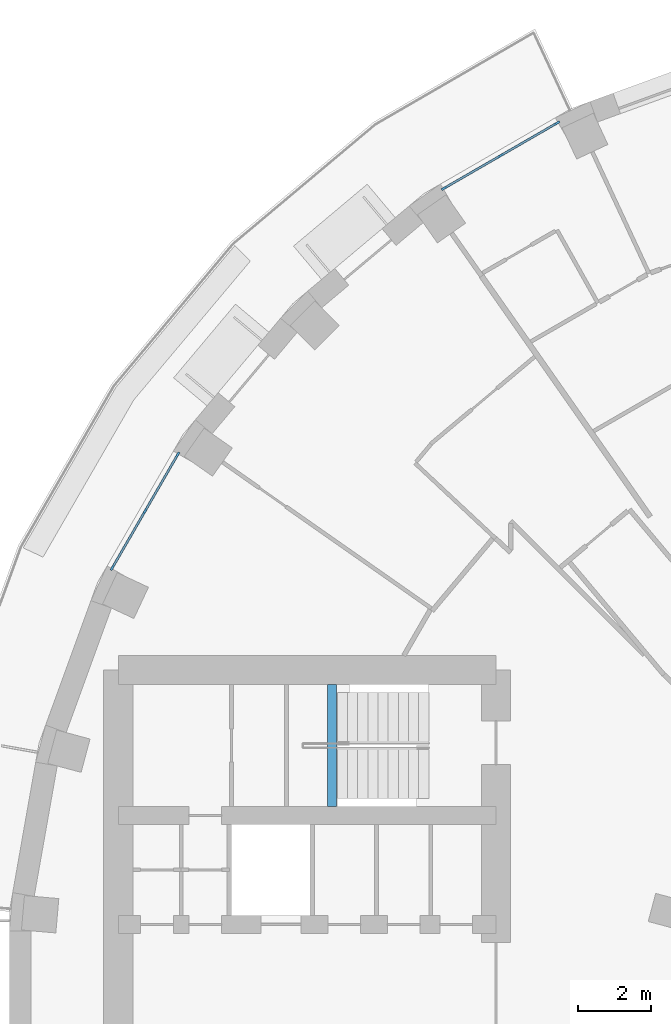
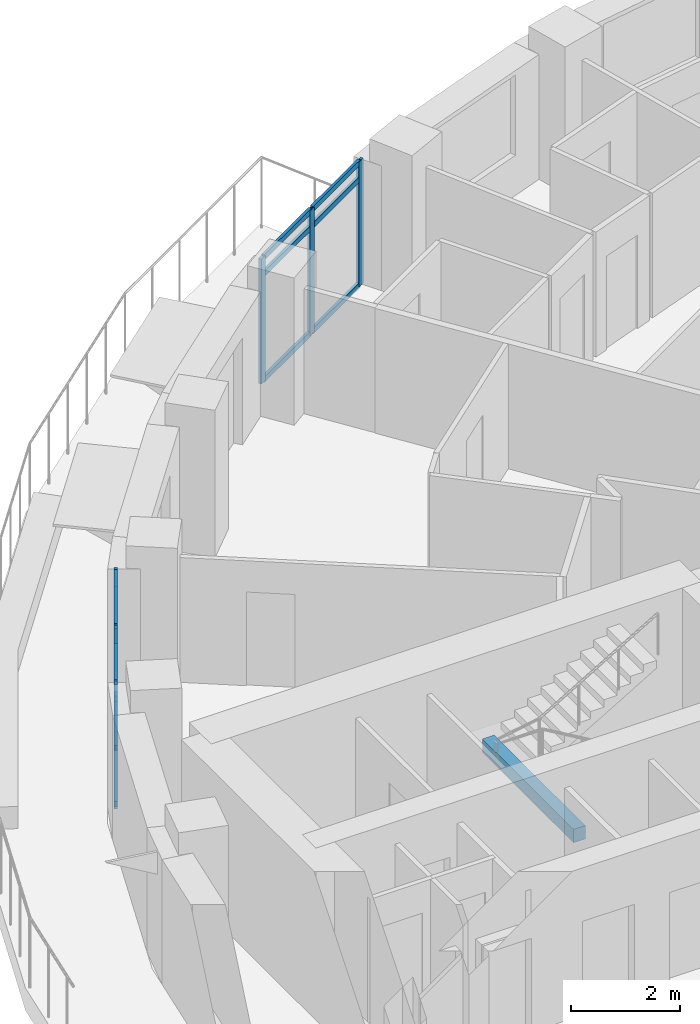
# One storey, part 2 of 15: 18 members, 1 beam, 2 elements without a shape of their own.
"""IFC4 building model written with IfcOpenShell, lengths in metres."""

from ifc_helpers import new_model, si_unit, direction, frame, origin, origin_2d, place, context, subcontext, project, spatial, rectangle, extrude, material, layer, layer_set, material_profile, profile_set, type_object, element, aggregate, save


model = new_model("IFC4")

# Units and contexts
model_context = context("Model", 3, precision=1e-05, world=origin(), true_north=direction((0.0, 1.0)))
body_context = subcontext(model_context, "Body", "Model", "MODEL_VIEW")
ifc_project = project(units=[si_unit("LENGTHUNIT", "METRE"), si_unit("AREAUNIT", "SQUARE_METRE"), si_unit("VOLUMEUNIT", "CUBIC_METRE"), si_unit("PLANEANGLEUNIT", "RADIAN"), si_unit("MASSUNIT", "GRAM", prefix="KILO")], contexts=[model_context])

# Site, building, storey
site_placement = place(None, origin())
site = spatial("IfcSite", under=ifc_project, at=site_placement, CompositionType="ELEMENT")
building_placement = place(site_placement, origin())
building = spatial("IfcBuilding", under=site, at=building_placement, Name="Saqina Gate Tower", CompositionType="ELEMENT")
storey_placement = place(building_placement, frame((0.0, 0.0, 108.39990234375)))
storey = spatial("IfcBuildingStorey", under=building, at=storey_placement, Name="L30", CompositionType="ELEMENT", Elevation=108.39990234375)

# Curtain wall, members
ifc_material_1 = material(Name="Aluminium glazing", Category="aluminium")
ifc_layer = layer(ifc_material_1, 0.159912109375)
ifc_layer_set = layer_set([ifc_layer], Name="CWT-4")
curtain_wall_type = type_object("IfcCurtainWallType", Name="CWT-4", PredefinedType="NOTDEFINED", material=ifc_layer_set)
curtain_wall_1_placement = place(storey_placement, origin())
curtain_wall_1 = element("IfcCurtainWall", 1, at=curtain_wall_1_placement, inside=storey, type_object=curtain_wall_type, Name="Terrace lounge glazing facet 12", PredefinedType="NOTDEFINED")
ifc_material_2 = material(Name="Aluminium", Category="aluminium")
ifc_material_profile_1 = material_profile(ifc_material_2, rectangle(XDim=0.06005859375, YDim=0.159912109375, at=origin_2d()), Name="Aluminium 60x160")
ifc_profile_set_1 = profile_set([ifc_material_profile_1], Name="Aluminium")
member_type_1 = type_object("IfcMemberType", Name="CWT-4M", PredefinedType="MULLION", material=ifc_profile_set_1)
member_1_placement = place(storey_placement, frame((-11.820068359375, 24.060791015625, 0.0), z_axis=(0.0, 0.0, 1.0), x_axis=(0.499998512381, -0.86602626266, 0.0)))
member_1 = element("IfcMember", 2, at=member_1_placement, type_object=member_type_1, Name="CW4-12 mullion 1", PredefinedType="MULLION", context=body_context, shape_type="SweptSolid", body=[
    extrude(rectangle(XDim=0.06005859375, YDim=0.159912109375, at=origin_2d()), origin(), (0.0, 0.0, 1.0), 2.800048828125),
])
member_2_placement = place(storey_placement, frame((-13.37353515625, 23.163818359375, 0.0), z_axis=(0.0, 0.0, 1.0), x_axis=(0.499998512381, -0.86602626266, 0.0)))
member_2 = element("IfcMember", 3, at=member_2_placement, type_object=member_type_1, Name="CW4-12 mullion 2", PredefinedType="MULLION", context=body_context, shape_type="SweptSolid", body=[
    extrude(rectangle(XDim=0.06005859375, YDim=0.159912109375, at=origin_2d()), origin(), (0.0, 0.0, 1.0), 2.800048828125),
])
member_3_placement = place(storey_placement, frame((-14.92724609375, 22.266845703125, 0.0), z_axis=(0.0, 0.0, 1.0), x_axis=(0.499998512381, -0.86602626266, 0.0)))
member_3 = element("IfcMember", 4, at=member_3_placement, type_object=member_type_1, Name="CW4-12 mullion 3", PredefinedType="MULLION", context=body_context, shape_type="SweptSolid", body=[
    extrude(rectangle(XDim=0.06005859375, YDim=0.159912109375, at=origin_2d()), origin(), (0.0, 0.0, 1.0), 2.800048828125),
])

curtain_wall_2_placement = place(storey_placement, origin())
curtain_wall_2 = element("IfcCurtainWall", 5, at=curtain_wall_2_placement, inside=storey, type_object=curtain_wall_type, Name="Terrace lounge glazing facet 15", PredefinedType="NOTDEFINED")
member_4_placement = place(storey_placement, frame((-22.266845703125, 14.92724609375, 0.0), z_axis=(0.0, 0.0, 1.0), x_axis=(0.86602626266, -0.499998512381, 0.0)))
member_4 = element("IfcMember", 6, at=member_4_placement, type_object=member_type_1, Name="CW4-15 mullion 1", PredefinedType="MULLION", context=body_context, shape_type="SweptSolid", body=[
    extrude(rectangle(XDim=0.06005859375, YDim=0.159912109375, at=origin_2d()), origin(), (0.0, 0.0, 1.0), 2.800048828125),
])
member_5_placement = place(storey_placement, frame((-23.163818359375, 13.37353515625, 0.0), z_axis=(0.0, 0.0, 1.0), x_axis=(0.86602626266, -0.499998512381, 0.0)))
member_5 = element("IfcMember", 7, at=member_5_placement, type_object=member_type_1, Name="CW4-15 mullion 2", PredefinedType="MULLION", context=body_context, shape_type="SweptSolid", body=[
    extrude(rectangle(XDim=0.06005859375, YDim=0.159912109375, at=origin_2d()), origin(), (0.0, 0.0, 1.0), 2.800048828125),
])
member_6_placement = place(storey_placement, frame((-24.060791015625, 11.820068359375, 0.0), z_axis=(0.0, 0.0, 1.0), x_axis=(0.86602626266, -0.499998512381, 0.0)))
member_6 = element("IfcMember", 8, at=member_6_placement, type_object=member_type_1, Name="CW4-15 mullion 3", PredefinedType="MULLION", context=body_context, shape_type="SweptSolid", body=[
    extrude(rectangle(XDim=0.06005859375, YDim=0.159912109375, at=origin_2d()), origin(), (0.0, 0.0, 1.0), 2.800048828125),
])

# Member
ifc_material_3 = material(Name="Aluminium", Category="aluminium")
ifc_material_profile_2 = material_profile(ifc_material_3, rectangle(XDim=0.06005859375, YDim=0.1201171875, at=origin_2d()), Name="Aluminium 60x120")
ifc_profile_set_2 = profile_set([ifc_material_profile_2], Name="Aluminium")
member_type_2 = type_object("IfcMemberType", Name="CWT-4T", PredefinedType="USERDEFINED", material=ifc_profile_set_2)
member_7_placement = place(storey_placement, frame((-11.845947265625, 24.0458984375, 0.030029296875), z_axis=(-0.866042565811, -0.49997027332, 0.0), x_axis=(0.49997027332, -0.866042565811, 0.0)))
member_7 = element("IfcMember", 9, at=member_7_placement, type_object=member_type_2, Name="CW4-12 transom 1.1", ObjectType="TRANSOM", PredefinedType="USERDEFINED", context=body_context, shape_type="SweptSolid", body=[
    extrude(rectangle(XDim=0.06005859375, YDim=0.1201171875, at=origin_2d()), origin(), (0.0, 0.0, 1.0), 1.73388671875),
])

member_8_placement = place(storey_placement, frame((-11.845947265625, 24.0458984375, 2.400146484375), z_axis=(-0.866042565811, -0.49997027332, 0.0), x_axis=(0.49997027332, -0.866042565811, 0.0)))
member_8 = element("IfcMember", 10, at=member_8_placement, type_object=member_type_2, Name="CW4-12 transom 1.2", ObjectType="TRANSOM", PredefinedType="USERDEFINED", context=body_context, shape_type="SweptSolid", body=[
    extrude(rectangle(XDim=0.06005859375, YDim=0.1201171875, at=origin_2d()), origin(), (0.0, 0.0, 1.0), 1.73388671875),
])

member_9_placement = place(storey_placement, frame((-11.845947265625, 24.0458984375, 2.77001953125), z_axis=(-0.866042565811, -0.49997027332, 0.0), x_axis=(0.49997027332, -0.866042565811, 0.0)))
member_9 = element("IfcMember", 11, at=member_9_placement, type_object=member_type_2, Name="CW4-12 transom 1.3", ObjectType="TRANSOM", PredefinedType="USERDEFINED", context=body_context, shape_type="SweptSolid", body=[
    extrude(rectangle(XDim=0.06005859375, YDim=0.1201171875, at=origin_2d()), origin(), (0.0, 0.0, 1.0), 1.73388671875),
])

member_10_placement = place(storey_placement, frame((-13.399658203125, 23.14892578125, 0.030029296875), z_axis=(-0.866007364299, -0.500031244004, 0.0), x_axis=(0.500031244004, -0.866007364299, 0.0)))
member_10 = element("IfcMember", 12, at=member_10_placement, type_object=member_type_2, Name="CW4-12 transom 2.1", ObjectType="TRANSOM", PredefinedType="USERDEFINED", context=body_context, shape_type="SweptSolid", body=[
    extrude(rectangle(XDim=0.06005859375, YDim=0.1201171875, at=origin_2d()), origin(), (0.0, 0.0, 1.0), 1.73388671875),
])

member_11_placement = place(storey_placement, frame((-13.399658203125, 23.14892578125, 2.400146484375), z_axis=(-0.866007364299, -0.500031244004, 0.0), x_axis=(0.500031244004, -0.866007364299, 0.0)))
member_11 = element("IfcMember", 13, at=member_11_placement, type_object=member_type_2, Name="CW4-12 transom 2.2", ObjectType="TRANSOM", PredefinedType="USERDEFINED", context=body_context, shape_type="SweptSolid", body=[
    extrude(rectangle(XDim=0.06005859375, YDim=0.1201171875, at=origin_2d()), origin(), (0.0, 0.0, 1.0), 1.73388671875),
])

member_12_placement = place(storey_placement, frame((-13.399658203125, 23.14892578125, 2.77001953125), z_axis=(-0.866007364299, -0.500031244004, 0.0), x_axis=(0.500031244004, -0.866007364299, 0.0)))
member_12 = element("IfcMember", 14, at=member_12_placement, type_object=member_type_2, Name="CW4-12 transom 2.3", ObjectType="TRANSOM", PredefinedType="USERDEFINED", context=body_context, shape_type="SweptSolid", body=[
    extrude(rectangle(XDim=0.06005859375, YDim=0.1201171875, at=origin_2d()), origin(), (0.0, 0.0, 1.0), 1.73388671875),
])

aggregate(curtain_wall_1, [member_1, member_2, member_3, member_7, member_8, member_9, member_10, member_11, member_12])

member_13_placement = place(storey_placement, frame((-22.281982421875, 14.901123046875, 0.030029296875), z_axis=(-0.500031244004, -0.866007364299, 0.0), x_axis=(0.866007364299, -0.500031244004, 0.0)))
member_13 = element("IfcMember", 15, at=member_13_placement, type_object=member_type_2, Name="CW4-15 transom 1.1", ObjectType="TRANSOM", PredefinedType="USERDEFINED", context=body_context, shape_type="SweptSolid", body=[
    extrude(rectangle(XDim=0.06005859375, YDim=0.1201171875, at=origin_2d()), origin(), (0.0, 0.0, 1.0), 1.73388671875),
])

member_14_placement = place(storey_placement, frame((-22.281982421875, 14.901123046875, 2.400146484375), z_axis=(-0.500031244004, -0.866007364299, 0.0), x_axis=(0.866007364299, -0.500031244004, 0.0)))
member_14 = element("IfcMember", 16, at=member_14_placement, type_object=member_type_2, Name="CW4-15 transom 1.2", ObjectType="TRANSOM", PredefinedType="USERDEFINED", context=body_context, shape_type="SweptSolid", body=[
    extrude(rectangle(XDim=0.06005859375, YDim=0.1201171875, at=origin_2d()), origin(), (0.0, 0.0, 1.0), 1.73388671875),
])

member_15_placement = place(storey_placement, frame((-22.281982421875, 14.901123046875, 2.77001953125), z_axis=(-0.500031244004, -0.866007364299, 0.0), x_axis=(0.866007364299, -0.500031244004, 0.0)))
member_15 = element("IfcMember", 17, at=member_15_placement, type_object=member_type_2, Name="CW4-15 transom 1.3", ObjectType="TRANSOM", PredefinedType="USERDEFINED", context=body_context, shape_type="SweptSolid", body=[
    extrude(rectangle(XDim=0.06005859375, YDim=0.1201171875, at=origin_2d()), origin(), (0.0, 0.0, 1.0), 1.73388671875),
])

member_16_placement = place(storey_placement, frame((-23.178955078125, 13.34765625, 0.030029296875), z_axis=(-0.49997027332, -0.866042565811, 0.0), x_axis=(0.866042565811, -0.49997027332, 0.0)))
member_16 = element("IfcMember", 18, at=member_16_placement, type_object=member_type_2, Name="CW4-15 transom 2.1", ObjectType="TRANSOM", PredefinedType="USERDEFINED", context=body_context, shape_type="SweptSolid", body=[
    extrude(rectangle(XDim=0.06005859375, YDim=0.1201171875, at=origin_2d()), origin(), (0.0, 0.0, 1.0), 1.73388671875),
])

member_17_placement = place(storey_placement, frame((-23.178955078125, 13.34765625, 2.400146484375), z_axis=(-0.49997027332, -0.866042565811, 0.0), x_axis=(0.866042565811, -0.49997027332, 0.0)))
member_17 = element("IfcMember", 19, at=member_17_placement, type_object=member_type_2, Name="CW4-15 transom 2.2", ObjectType="TRANSOM", PredefinedType="USERDEFINED", context=body_context, shape_type="SweptSolid", body=[
    extrude(rectangle(XDim=0.06005859375, YDim=0.1201171875, at=origin_2d()), origin(), (0.0, 0.0, 1.0), 1.73388671875),
])

member_18_placement = place(storey_placement, frame((-23.178955078125, 13.34765625, 2.77001953125), z_axis=(-0.49997027332, -0.866042565811, 0.0), x_axis=(0.866042565811, -0.49997027332, 0.0)))
member_18 = element("IfcMember", 20, at=member_18_placement, type_object=member_type_2, Name="CW4-15 transom 2.3", ObjectType="TRANSOM", PredefinedType="USERDEFINED", context=body_context, shape_type="SweptSolid", body=[
    extrude(rectangle(XDim=0.06005859375, YDim=0.1201171875, at=origin_2d()), origin(), (0.0, 0.0, 1.0), 1.73388671875),
])

aggregate(curtain_wall_2, [member_4, member_5, member_6, member_13, member_14, member_15, member_16, member_17, member_18])

# Beam
ifc_material_4 = material(Name="Concrete C40/50", Category="concrete")
ifc_material_profile_3 = material_profile(ifc_material_4, rectangle(XDim=0.25, YDim=0.300048828125, at=origin_2d()), Name="STAIR LANDING BEAM")
ifc_profile_set_3 = profile_set([ifc_material_profile_3], Name="Concrete C40/50")
beam_type = type_object("IfcBeamType", Name="STAIR LANDING BEAM", PredefinedType="BEAM", material=ifc_profile_set_3)
beam_placement = place(storey_placement, frame((-18.02001953125, 5.25, 1.25), z_axis=(0.0, 1.0, 0.0), x_axis=(-1.0, 0.0, 0.0)))
element("IfcBeam", 21, at=beam_placement, inside=storey, type_object=beam_type, Name="EXIT STAIR 3 LANDING BEAM", PredefinedType="BEAM", context=body_context, shape_type="SweptSolid", body=[
    extrude(rectangle(XDim=0.25, YDim=0.300048828125, at=origin_2d()), origin(), (0.0, 0.0, 1.0), 3.35009765625),
])

save(model, "model.ifc")
